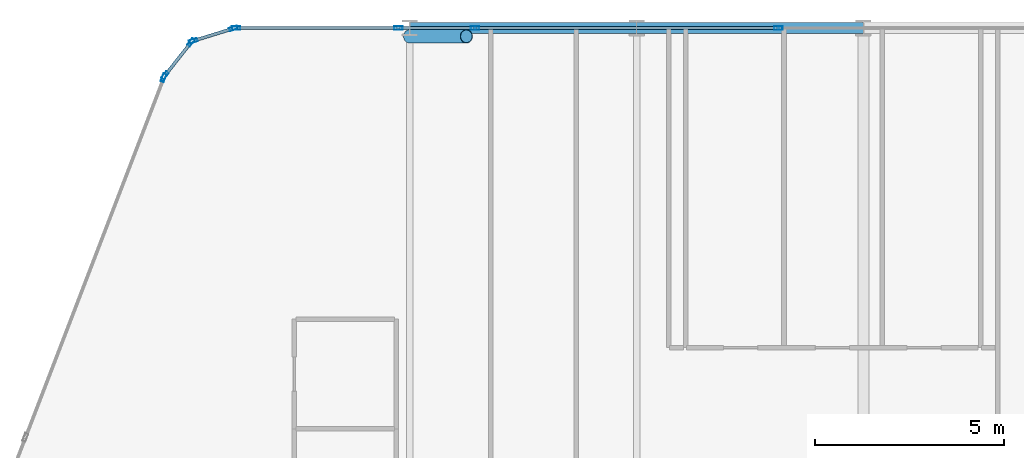
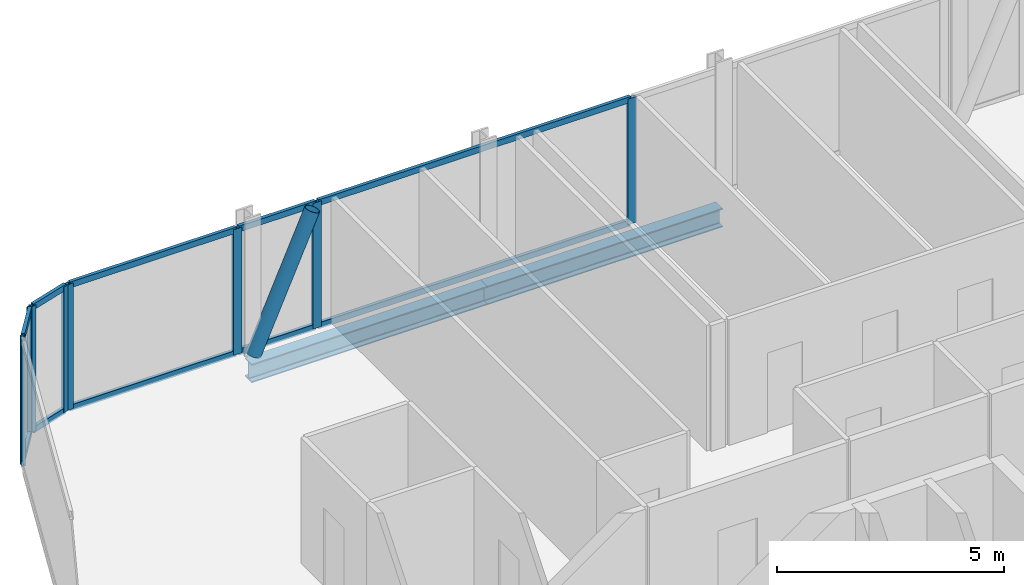
# One storey, part 13 of 33: 20 members, 2 beams, 6 elements without a shape of their own.
"""IFC4 building model written with IfcOpenShell, lengths in metres."""

from ifc_helpers import new_model, si_unit, direction, frame, origin, origin_2d, place, context, subcontext, project, spatial, hollow_rectangle, hollow_circle, i_section, extrude, material, layer, layer_set, material_profile, profile_set, type_object, element, aggregate, save


model = new_model("IFC4")

# Units and contexts
model_context = context("Model", 3, precision=1e-05, world=origin(), true_north=direction((0.0, 1.0)))
body_context = subcontext(model_context, "Body", "Model", "MODEL_VIEW")
ifc_project = project(units=[si_unit("LENGTHUNIT", "METRE"), si_unit("AREAUNIT", "SQUARE_METRE"), si_unit("VOLUMEUNIT", "CUBIC_METRE"), si_unit("PLANEANGLEUNIT", "RADIAN"), si_unit("MASSUNIT", "GRAM", prefix="KILO")], contexts=[model_context])

# Site, building, storey
site_placement = place(None, origin())
site = spatial("IfcSite", under=ifc_project, at=site_placement, CompositionType="ELEMENT")
building_placement = place(site_placement, origin())
building = spatial("IfcBuilding", under=site, at=building_placement, Name="Keshet Zoharim Tower", CompositionType="ELEMENT")
storey_placement = place(building_placement, frame((0.0, 0.0, 42.5)))
storey = spatial("IfcBuildingStorey", under=building, at=storey_placement, Name="L09", CompositionType="ELEMENT", Elevation=42.5)

# Beams
ifc_material_1 = material(Name="Steel S355", Category="steel")
ifc_material_profile_1 = material_profile(ifc_material_1, i_section(OverallWidth=0.300048828125, OverallDepth=0.5, WebThickness=0.014404296875, FlangeThickness=0.028076171875, FilletRadius=0.027099609375, at=origin_2d()), Name="HEB500")
ifc_profile_set_1 = profile_set([ifc_material_profile_1], Name="Steel S355")
beam_type = type_object("IfcBeamType", Name="BM-WEB-HB500", PredefinedType="BEAM", material=ifc_profile_set_1)
for number, where, z_axis, x_axis, name in (
    (1, (21.0, 53.89990234375, -0.56494140625), (1.0, 0.0, 0.0), (0.0, 1.0, 0.0), "L09 Primary Girder X-029"),
    (2, (27.0, 53.89990234375, -0.56494140625), (1.0, 0.0, 0.0), (0.0, 1.0, 0.0), "L09 Primary Girder X-030"),
):
    element("IfcBeam", number, at=place(storey_placement, frame(where, z_axis=z_axis, x_axis=x_axis)), inside=storey, type_object=beam_type, Name=name, PredefinedType="BEAM", context=body_context, shape_type="SweptSolid", body=[
        extrude(i_section(OverallWidth=0.300048828125, OverallDepth=0.5, WebThickness=0.014404296875, FlangeThickness=0.028076171875, FilletRadius=0.027099609375, at=origin_2d()), origin(), (0.0, 0.0, 1.0), 6.0),
    ])

# Curtain wall, member
ifc_material_2 = material(Name="Aluminium 6063-T6", Category="aluminium")
ifc_layer_1 = layer(ifc_material_2, 0.179931640625)
ifc_layer_set_1 = layer_set([ifc_layer_1], Name="Aluminium 6063-T6")
curtain_wall_type_1 = type_object("IfcCurtainWallType", Name="CW-SYS-01", PredefinedType="NOTDEFINED", material=ifc_layer_set_1)
curtain_wall_1_placement = place(storey_placement, origin())
curtain_wall_1 = element("IfcCurtainWall", 3, at=curtain_wall_1_placement, inside=storey, type_object=curtain_wall_type_1, Name="L09 Unitised Curtain Wall 04", PredefinedType="NOTDEFINED")
ifc_material_profile_2 = material_profile(ifc_material_2, hollow_rectangle(XDim=0.090087890625, YDim=0.219970703125, WallThickness=0.0048828125, at=origin_2d()), Name="MUL-90x220")
ifc_profile_set_2 = profile_set([ifc_material_profile_2], Name="Aluminium 6063-T6")
member_type_1 = type_object("IfcMemberType", Name="CWM-M22", PredefinedType="MULLION", material=ifc_profile_set_2)
member_1_placement = place(storey_placement, frame((14.494384765625, 52.58544921875, 0.0), z_axis=(0.0, 0.0, 1.0), x_axis=(-0.933341404361, 0.358990003907, 0.0)))
member_1 = element("IfcMember", 4, at=member_1_placement, type_object=member_type_1, Name="CW-01 mullion 4", PredefinedType="MULLION", context=body_context, shape_type="SweptSolid", body=[
    extrude(hollow_rectangle(XDim=0.090087890625, YDim=0.219970703125, WallThickness=0.0048828125, at=origin_2d()), origin(), (0.0, 0.0, 1.0), 3.385009765625),
])
aggregate(curtain_wall_1, [member_1])

# Curtain wall, members
curtain_wall_2_placement = place(storey_placement, origin())
curtain_wall_2 = element("IfcCurtainWall", 5, at=curtain_wall_2_placement, inside=storey, type_object=curtain_wall_type_1, Name="L09 Unitised Curtain Wall 05", PredefinedType="NOTDEFINED")
member_2_placement = place(storey_placement, frame((14.528564453125, 52.6455078125, 0.0), z_axis=(0.0, 0.0, 1.0), x_axis=(-0.785292825205, 0.619124525989, 0.0)))
member_2 = element("IfcMember", 6, at=member_2_placement, type_object=member_type_1, Name="CW-01 mullion 1", PredefinedType="MULLION", context=body_context, shape_type="SweptSolid", body=[
    extrude(hollow_rectangle(XDim=0.090087890625, YDim=0.219970703125, WallThickness=0.0048828125, at=origin_2d()), origin(), (0.0, 0.0, 1.0), 3.385009765625),
])
member_3_placement = place(storey_placement, frame((15.21923828125, 53.521484375, 0.0), z_axis=(0.0, 0.0, 1.0), x_axis=(-0.785292825205, 0.619124525989, 0.0)))
member_3 = element("IfcMember", 7, at=member_3_placement, type_object=member_type_1, Name="CW-01 mullion 2", PredefinedType="MULLION", context=body_context, shape_type="SweptSolid", body=[
    extrude(hollow_rectangle(XDim=0.090087890625, YDim=0.219970703125, WallThickness=0.0048828125, at=origin_2d()), origin(), (0.0, 0.0, 1.0), 3.385009765625),
])

curtain_wall_3_placement = place(storey_placement, origin())
curtain_wall_3 = element("IfcCurtainWall", 8, at=curtain_wall_3_placement, inside=storey, type_object=curtain_wall_type_1, Name="L09 Unitised Curtain Wall 06", PredefinedType="NOTDEFINED")
member_4_placement = place(storey_placement, frame((15.2744140625, 53.559326171875, 0.0), z_axis=(0.0, 0.0, 1.0), x_axis=(-0.295921857984, 0.955212151288, 0.0)))
member_4 = element("IfcMember", 9, at=member_4_placement, type_object=member_type_1, Name="CW-01 mullion 1", PredefinedType="MULLION", context=body_context, shape_type="SweptSolid", body=[
    extrude(hollow_rectangle(XDim=0.090087890625, YDim=0.219970703125, WallThickness=0.0048828125, at=origin_2d()), origin(), (0.0, 0.0, 1.0), 3.385009765625),
])
member_5_placement = place(storey_placement, frame((16.340576171875, 53.8896484375, 0.0), z_axis=(0.0, 0.0, 1.0), x_axis=(-0.295921857984, 0.955212151288, 0.0)))
member_5 = element("IfcMember", 10, at=member_5_placement, type_object=member_type_1, Name="CW-01 mullion 2", PredefinedType="MULLION", context=body_context, shape_type="SweptSolid", body=[
    extrude(hollow_rectangle(XDim=0.090087890625, YDim=0.219970703125, WallThickness=0.0048828125, at=origin_2d()), origin(), (0.0, 0.0, 1.0), 3.385009765625),
])

ifc_layer_2 = layer(ifc_material_2, 0.169921875)
ifc_layer_set_2 = layer_set([ifc_layer_2], Name="Aluminium 6063-T6")
curtain_wall_type_2 = type_object("IfcCurtainWallType", Name="CW-SYS-02", PredefinedType="NOTDEFINED", material=ifc_layer_set_2)
curtain_wall_4_placement = place(storey_placement, origin())
curtain_wall_4 = element("IfcCurtainWall", 11, at=curtain_wall_4_placement, inside=storey, type_object=curtain_wall_type_2, Name="L09 Unitised Curtain Wall 07", PredefinedType="NOTDEFINED")
member_6_placement = place(storey_placement, frame((16.408935546875, 53.89990234375, 0.0), z_axis=(0.0, 0.0, 1.0), x_axis=(0.0, 1.0, 0.0)))
member_6 = element("IfcMember", 12, at=member_6_placement, type_object=member_type_1, Name="CW-02 mullion 1", PredefinedType="MULLION", context=body_context, shape_type="SweptSolid", body=[
    extrude(hollow_rectangle(XDim=0.090087890625, YDim=0.219970703125, WallThickness=0.0048828125, at=origin_2d()), origin(), (0.0, 0.0, 1.0), 3.385009765625),
])
member_7_placement = place(storey_placement, frame((20.702392578125, 53.89990234375, 0.0), z_axis=(0.0, 0.0, 1.0), x_axis=(0.0, 1.0, 0.0)))
member_7 = element("IfcMember", 13, at=member_7_placement, type_object=member_type_1, Name="CW-02 mullion 2", PredefinedType="MULLION", context=body_context, shape_type="SweptSolid", body=[
    extrude(hollow_rectangle(XDim=0.090087890625, YDim=0.219970703125, WallThickness=0.0048828125, at=origin_2d()), origin(), (0.0, 0.0, 1.0), 3.385009765625),
])

# Curtain wall, member
curtain_wall_5_placement = place(storey_placement, origin())
curtain_wall_5 = element("IfcCurtainWall", 14, at=curtain_wall_5_placement, inside=storey, type_object=curtain_wall_type_2, Name="L09 Unitised Curtain Wall 07 Part 2", PredefinedType="NOTDEFINED")
member_8_placement = place(storey_placement, frame((22.7275390625, 53.89990234375, 0.0), z_axis=(0.0, 0.0, 1.0), x_axis=(0.0, 1.0, 0.0)))
member_8 = element("IfcMember", 15, at=member_8_placement, type_object=member_type_1, Name="CW-02 mullion 2", PredefinedType="MULLION", context=body_context, shape_type="SweptSolid", body=[
    extrude(hollow_rectangle(XDim=0.090087890625, YDim=0.219970703125, WallThickness=0.0048828125, at=origin_2d()), origin(), (0.0, 0.0, 1.0), 3.385009765625),
])

curtain_wall_6_placement = place(storey_placement, origin())
curtain_wall_6 = element("IfcCurtainWall", 16, at=curtain_wall_6_placement, inside=storey, type_object=curtain_wall_type_2, Name="L09 Unitised Curtain Wall 07 Part 3", PredefinedType="NOTDEFINED")
member_9_placement = place(storey_placement, frame((30.75, 53.89990234375, 0.0), z_axis=(0.0, 0.0, 1.0), x_axis=(0.0, 1.0, 0.0)))
member_9 = element("IfcMember", 17, at=member_9_placement, type_object=member_type_1, Name="CW-02 mullion 2", PredefinedType="MULLION", context=body_context, shape_type="SweptSolid", body=[
    extrude(hollow_rectangle(XDim=0.090087890625, YDim=0.219970703125, WallThickness=0.0048828125, at=origin_2d()), origin(), (0.0, 0.0, 1.0), 3.385009765625),
])

# Member
ifc_material_profile_3 = material_profile(ifc_material_2, hollow_rectangle(XDim=0.0849609375, YDim=0.159912109375, WallThickness=0.00439453125, at=origin_2d()), Name="TRN-85x160")
ifc_profile_set_3 = profile_set([ifc_material_profile_3], Name="Aluminium 6063-T6")
member_type_2 = type_object("IfcMemberType", Name="CWT-T16", PredefinedType="USERDEFINED", material=ifc_profile_set_3)
member_10_placement = place(storey_placement, frame((14.55029296875, 52.6728515625, 0.034912109375), z_axis=(0.619099165969, 0.78531281837, 0.0), x_axis=(-0.78531281837, 0.619099165969, 0.0)))
member_10 = element("IfcMember", 18, at=member_10_placement, type_object=member_type_2, Name="CW-01 transom 1.1", ObjectType="TRANSOM", PredefinedType="USERDEFINED", context=body_context, shape_type="SweptSolid", body=[
    extrude(hollow_rectangle(XDim=0.0849609375, YDim=0.159912109375, WallThickness=0.00439453125, at=origin_2d()), origin(), (0.0, 0.0, 1.0), 1.0458984375),
])

member_11_placement = place(storey_placement, frame((14.55029296875, 52.6728515625, 3.35009765625), z_axis=(0.619099165969, 0.78531281837, 0.0), x_axis=(-0.78531281837, 0.619099165969, 0.0)))
member_11 = element("IfcMember", 19, at=member_11_placement, type_object=member_type_2, Name="CW-01 transom 1.2", ObjectType="TRANSOM", PredefinedType="USERDEFINED", context=body_context, shape_type="SweptSolid", body=[
    extrude(hollow_rectangle(XDim=0.0849609375, YDim=0.159912109375, WallThickness=0.00439453125, at=origin_2d()), origin(), (0.0, 0.0, 1.0), 1.0458984375),
])

aggregate(curtain_wall_2, [member_2, member_3, member_10, member_11])

member_12_placement = place(storey_placement, frame((15.307861328125, 53.56982421875, 0.034912109375), z_axis=(0.955212093062, 0.295922045933, 0.0), x_axis=(-0.295922045933, 0.955212093062, 0.0)))
member_12 = element("IfcMember", 20, at=member_12_placement, type_object=member_type_2, Name="CW-01 transom 1.1", ObjectType="TRANSOM", PredefinedType="USERDEFINED", context=body_context, shape_type="SweptSolid", body=[
    extrude(hollow_rectangle(XDim=0.0849609375, YDim=0.159912109375, WallThickness=0.00439453125, at=origin_2d()), origin(), (0.0, 0.0, 1.0), 1.046142578125),
])

member_13_placement = place(storey_placement, frame((15.307861328125, 53.56982421875, 3.35009765625), z_axis=(0.955212093062, 0.295922045933, 0.0), x_axis=(-0.295922045933, 0.955212093062, 0.0)))
member_13 = element("IfcMember", 21, at=member_13_placement, type_object=member_type_2, Name="CW-01 transom 1.2", ObjectType="TRANSOM", PredefinedType="USERDEFINED", context=body_context, shape_type="SweptSolid", body=[
    extrude(hollow_rectangle(XDim=0.0849609375, YDim=0.159912109375, WallThickness=0.00439453125, at=origin_2d()), origin(), (0.0, 0.0, 1.0), 1.046142578125),
])

aggregate(curtain_wall_3, [member_4, member_5, member_12, member_13])

member_14_placement = place(storey_placement, frame((16.444091796875, 53.89990234375, 0.034912109375), z_axis=(1.0, 0.0, 0.0), x_axis=(0.0, 1.0, 0.0)))
member_14 = element("IfcMember", 22, at=member_14_placement, type_object=member_type_2, Name="CW-02 transom 1.1", ObjectType="TRANSOM", PredefinedType="USERDEFINED", context=body_context, shape_type="SweptSolid", body=[
    extrude(hollow_rectangle(XDim=0.0849609375, YDim=0.159912109375, WallThickness=0.00439453125, at=origin_2d()), origin(), (0.0, 0.0, 1.0), 4.223388671875),
])

member_15_placement = place(storey_placement, frame((16.444091796875, 53.89990234375, 3.35009765625), z_axis=(1.0, 0.0, 0.0), x_axis=(0.0, 1.0, 0.0)))
member_15 = element("IfcMember", 23, at=member_15_placement, type_object=member_type_2, Name="CW-02 transom 1.2", ObjectType="TRANSOM", PredefinedType="USERDEFINED", context=body_context, shape_type="SweptSolid", body=[
    extrude(hollow_rectangle(XDim=0.0849609375, YDim=0.159912109375, WallThickness=0.00439453125, at=origin_2d()), origin(), (0.0, 0.0, 1.0), 4.223388671875),
])

aggregate(curtain_wall_4, [member_6, member_7, member_14, member_15])

member_16_placement = place(storey_placement, frame((20.7373046875, 53.89990234375, 0.034912109375), z_axis=(1.0, 0.0, 0.0), x_axis=(0.0, 1.0, 0.0)))
member_16 = element("IfcMember", 24, at=member_16_placement, type_object=member_type_2, Name="CW-02 transom 1.1", ObjectType="TRANSOM", PredefinedType="USERDEFINED", context=body_context, shape_type="SweptSolid", body=[
    extrude(hollow_rectangle(XDim=0.0849609375, YDim=0.159912109375, WallThickness=0.00439453125, at=origin_2d()), origin(), (0.0, 0.0, 1.0), 1.955322265625),
])

member_17_placement = place(storey_placement, frame((20.7373046875, 53.89990234375, 3.35009765625), z_axis=(1.0, 0.0, 0.0), x_axis=(0.0, 1.0, 0.0)))
member_17 = element("IfcMember", 25, at=member_17_placement, type_object=member_type_2, Name="CW-02 transom 1.2", ObjectType="TRANSOM", PredefinedType="USERDEFINED", context=body_context, shape_type="SweptSolid", body=[
    extrude(hollow_rectangle(XDim=0.0849609375, YDim=0.159912109375, WallThickness=0.00439453125, at=origin_2d()), origin(), (0.0, 0.0, 1.0), 1.955322265625),
])

aggregate(curtain_wall_5, [member_8, member_16, member_17])

member_18_placement = place(storey_placement, frame((22.7626953125, 53.89990234375, 0.034912109375), z_axis=(1.0, 0.0, 0.0), x_axis=(0.0, 1.0, 0.0)))
member_18 = element("IfcMember", 26, at=member_18_placement, type_object=member_type_2, Name="CW-02 transom 1.1", ObjectType="TRANSOM", PredefinedType="USERDEFINED", context=body_context, shape_type="SweptSolid", body=[
    extrude(hollow_rectangle(XDim=0.0849609375, YDim=0.159912109375, WallThickness=0.00439453125, at=origin_2d()), origin(), (0.0, 0.0, 1.0), 7.952392578125),
])

member_19_placement = place(storey_placement, frame((22.7626953125, 53.89990234375, 3.35009765625), z_axis=(1.0, 0.0, 0.0), x_axis=(0.0, 1.0, 0.0)))
member_19 = element("IfcMember", 27, at=member_19_placement, type_object=member_type_2, Name="CW-02 transom 1.2", ObjectType="TRANSOM", PredefinedType="USERDEFINED", context=body_context, shape_type="SweptSolid", body=[
    extrude(hollow_rectangle(XDim=0.0849609375, YDim=0.159912109375, WallThickness=0.00439453125, at=origin_2d()), origin(), (0.0, 0.0, 1.0), 7.952392578125),
])

aggregate(curtain_wall_6, [member_9, member_18, member_19])

ifc_material_profile_4 = material_profile(ifc_material_1, hollow_circle(Radius=0.177734375, WallThickness=0.012451171875, at=origin_2d()), Name="CHS355x12.5")
ifc_profile_set_4 = profile_set([ifc_material_profile_4], Name="Steel S355")
member_type_3 = type_object("IfcMemberType", Name="MB-BR-C355", PredefinedType="BRACE", material=ifc_profile_set_4)
member_20_placement = place(storey_placement, frame((21.0, 53.679931640625, 0.0), z_axis=(0.405134846829, 0.0, 0.91425694194), x_axis=(0.0, 1.0, 0.0)))
element("IfcMember", 28, at=member_20_placement, inside=storey, type_object=member_type_3, Name="L09 Perimeter Tube Brace 01", PredefinedType="BRACE", context=body_context, shape_type="SweptSolid", body=[
    extrude(hollow_circle(Radius=0.177734375, WallThickness=0.012451171875, at=origin_2d()), origin(), (0.0, 0.0, 1.0), 3.702392578125),
])

save(model, "model.ifc")
